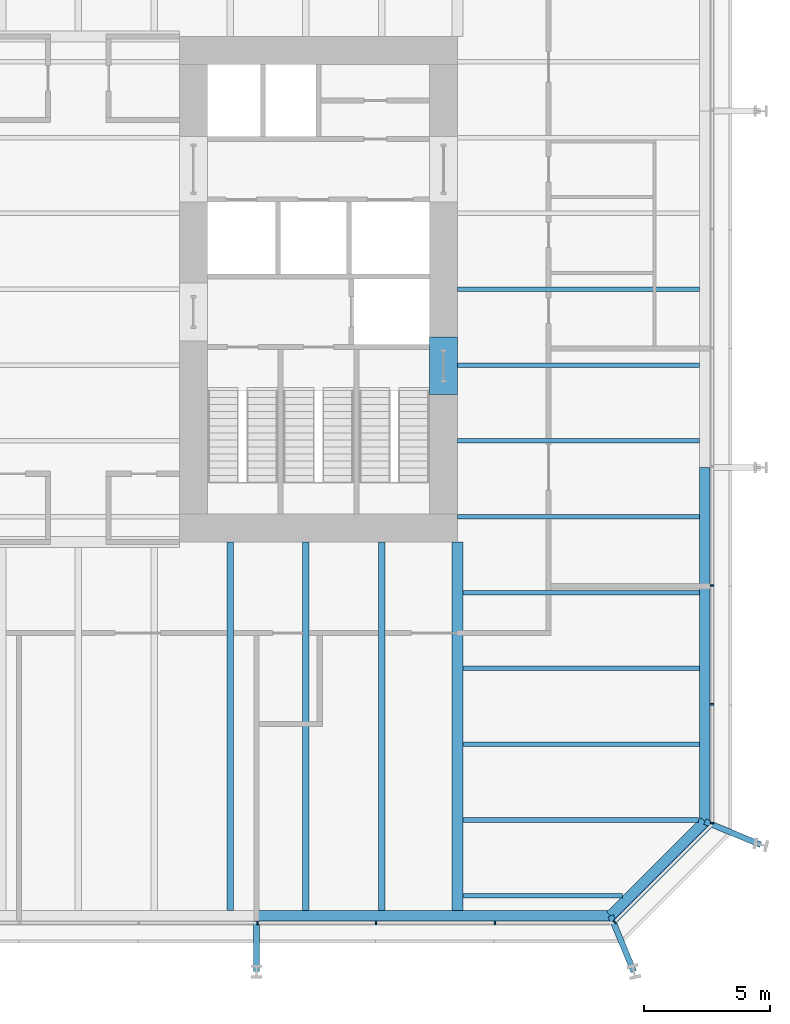
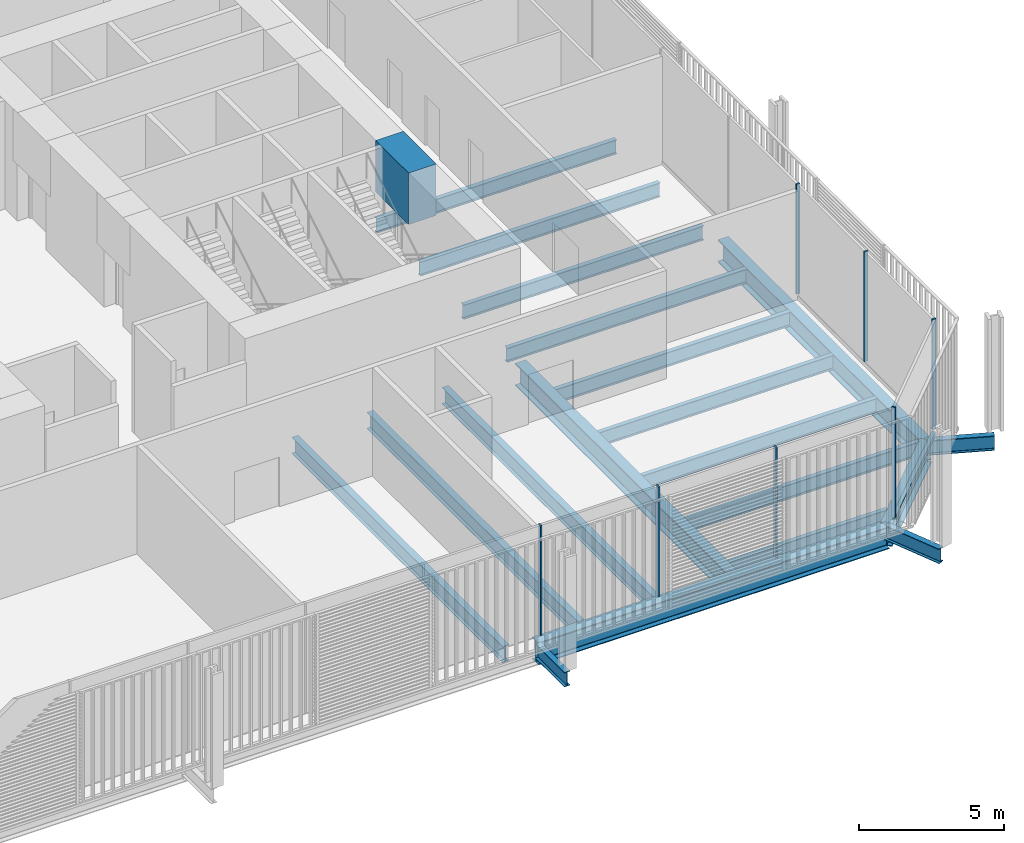
# One storey, part 8 of 22: 20 beams, 8 members, 3 elements without a shape of their own.
"""IFC4 building model written with IfcOpenShell, lengths in metres."""

from ifc_helpers import new_model, si_unit, direction, frame, origin, origin_2d, place, context, subcontext, project, spatial, rectangle, i_section, extrude, material, layer, layer_set, material_profile, profile_set, type_object, element, aggregate, save


model = new_model("IFC4")

# Units and contexts
model_context = context("Model", 3, precision=1e-05, world=origin(), true_north=direction((0.0, 1.0)))
body_context = subcontext(model_context, "Body", "Model", "MODEL_VIEW")
ifc_project = project(units=[si_unit("LENGTHUNIT", "METRE"), si_unit("AREAUNIT", "SQUARE_METRE"), si_unit("VOLUMEUNIT", "CUBIC_METRE"), si_unit("PLANEANGLEUNIT", "RADIAN"), si_unit("MASSUNIT", "GRAM", prefix="KILO")], contexts=[model_context])

# Site, building, storey
site_placement = place(None, origin())
site = spatial("IfcSite", under=ifc_project, at=site_placement, CompositionType="ELEMENT")
building_placement = place(site_placement, origin())
building = spatial("IfcBuilding", under=site, at=building_placement, Name="Millrace Tower", CompositionType="ELEMENT")
storey_placement = place(building_placement, frame((0.0, 0.0, 40.10009765625)))
storey = spatial("IfcBuildingStorey", under=building, at=storey_placement, Name="L09", CompositionType="ELEMENT", Elevation=40.10009765625)

# Curtain wall, members
ifc_material_1 = material(Name="Aluminium and glass", Category="aluminium")
ifc_layer = layer(ifc_material_1, 0.14990234375)
ifc_layer_set = layer_set([ifc_layer], Name="Aluminium and glass")
curtain_wall_type = type_object("IfcCurtainWallType", Name="CW-2 data hall insulated curtain wall", PredefinedType="NOTDEFINED", material=ifc_layer_set)
placement = place(storey_placement, origin())
curtain_wall_1 = element("IfcCurtainWall", 1, at=placement, inside=storey, type_object=curtain_wall_type, Name="Curtain wall A-F02 L09", PredefinedType="NOTDEFINED")
ifc_material_2 = material(Name="Aluminium", Category="aluminium")
ifc_material_profile_1 = material_profile(ifc_material_2, rectangle(XDim=0.06494140625, YDim=0.14990234375, at=origin_2d()))
ifc_profile_set_1 = profile_set([ifc_material_profile_1], Name="Aluminium")
member_type_1 = type_object("IfcMemberType", Name="CW-2 data hall insulated curtain wall mullion", PredefinedType="MULLION", material=ifc_profile_set_1)
member_1_placement = place(storey_placement, frame((7.08251953125, -25.074951171875, 0.159912109375), z_axis=(0.0, 0.0, 1.0), x_axis=(1.0, 0.0, 0.0)))
member_1 = element("IfcMember", 2, at=member_1_placement, type_object=member_type_1, Name="CW2 mullion A-F02.7", PredefinedType="MULLION", context=body_context, shape_type="SweptSolid", body=[
    extrude(rectangle(XDim=0.06494140625, YDim=0.14990234375, at=origin_2d()), origin(), (0.0, 0.0, 1.0), 4.639892578125),
])
member_2_placement = place(storey_placement, frame((11.782470703125, -25.074951171875, 0.159912109375), z_axis=(0.0, 0.0, 1.0), x_axis=(1.0, 0.0, 0.0)))
member_2 = element("IfcMember", 3, at=member_2_placement, type_object=member_type_1, Name="CW2 mullion A-F02.8", PredefinedType="MULLION", context=body_context, shape_type="SweptSolid", body=[
    extrude(rectangle(XDim=0.06494140625, YDim=0.14990234375, at=origin_2d()), origin(), (0.0, 0.0, 1.0), 4.639892578125),
])
member_3_placement = place(storey_placement, frame((16.482421875, -25.074951171875, 0.159912109375), z_axis=(0.0, 0.0, 1.0), x_axis=(1.0, 0.0, 0.0)))
member_3 = element("IfcMember", 4, at=member_3_placement, type_object=member_type_1, Name="CW2 mullion A-F02.9", PredefinedType="MULLION", context=body_context, shape_type="SweptSolid", body=[
    extrude(rectangle(XDim=0.06494140625, YDim=0.14990234375, at=origin_2d()), origin(), (0.0, 0.0, 1.0), 4.639892578125),
])
aggregate(curtain_wall_1, [member_1, member_2, member_3])

# Curtain wall, member
curtain_wall_2 = element("IfcCurtainWall", 5, at=placement, inside=storey, type_object=curtain_wall_type, Name="Curtain wall A-F03 L09", PredefinedType="NOTDEFINED")
member_4_placement = place(storey_placement, frame((21.22607421875, -25.030029296875, 0.159912109375), z_axis=(0.0, 0.0, 1.0), x_axis=(0.707106781187, 0.707106781187, 0.0)))
member_4 = element("IfcMember", 6, at=member_4_placement, type_object=member_type_1, Name="CW2 mullion A-F03.1", PredefinedType="MULLION", context=body_context, shape_type="SweptSolid", body=[
    extrude(rectangle(XDim=0.06494140625, YDim=0.14990234375, at=origin_2d()), origin(), (0.0, 0.0, 1.0), 4.639892578125),
])

# Curtain wall, members
curtain_wall_3 = element("IfcCurtainWall", 7, at=placement, inside=storey, type_object=curtain_wall_type, Name="Curtain wall A-F04 L09", PredefinedType="NOTDEFINED")
member_5_placement = place(storey_placement, frame((25.074951171875, -21.117431640625, 0.159912109375), z_axis=(0.0, 0.0, 1.0), x_axis=(0.0, 1.0, 0.0)))
member_5 = element("IfcMember", 8, at=member_5_placement, type_object=member_type_1, Name="CW2 mullion A-F04.1", PredefinedType="MULLION", context=body_context, shape_type="SweptSolid", body=[
    extrude(rectangle(XDim=0.06494140625, YDim=0.14990234375, at=origin_2d()), origin(), (0.0, 0.0, 1.0), 4.639892578125),
])
member_6_placement = place(storey_placement, frame((25.074951171875, -16.41748046875, 0.159912109375), z_axis=(0.0, 0.0, 1.0), x_axis=(0.0, 1.0, 0.0)))
member_6 = element("IfcMember", 9, at=member_6_placement, type_object=member_type_1, Name="CW2 mullion A-F04.2", PredefinedType="MULLION", context=body_context, shape_type="SweptSolid", body=[
    extrude(rectangle(XDim=0.06494140625, YDim=0.14990234375, at=origin_2d()), origin(), (0.0, 0.0, 1.0), 4.639892578125),
])
member_7_placement = place(storey_placement, frame((25.074951171875, -11.717529296875, 0.159912109375), z_axis=(0.0, 0.0, 1.0), x_axis=(0.0, 1.0, 0.0)))
member_7 = element("IfcMember", 10, at=member_7_placement, type_object=member_type_1, Name="CW2 mullion A-F04.3", PredefinedType="MULLION", context=body_context, shape_type="SweptSolid", body=[
    extrude(rectangle(XDim=0.06494140625, YDim=0.14990234375, at=origin_2d()), origin(), (0.0, 0.0, 1.0), 4.639892578125),
])
aggregate(curtain_wall_3, [member_5, member_6, member_7])

# Member
ifc_material_3 = material(Name="Aluminium", Category="aluminium")
ifc_material_profile_2 = material_profile(ifc_material_3, rectangle(XDim=0.14990234375, YDim=0.159912109375, at=origin_2d()))
ifc_profile_set_2 = profile_set([ifc_material_profile_2], Name="Aluminium")
member_type_2 = type_object("IfcMemberType", Name="CW-2 data hall insulated curtain wall transom", PredefinedType="USERDEFINED", material=ifc_profile_set_2)
member_8_placement = place(storey_placement, frame((21.273681640625, -24.982421875, 0.079833984375), z_axis=(0.707106781187, 0.707106781187, 0.0), x_axis=(-0.707106781187, 0.707106781187, 0.0)))
member_8 = element("IfcMember", 11, at=member_8_placement, type_object=member_type_2, Name="CW2 transom A-F03.1", ObjectType="TRANSOM", PredefinedType="USERDEFINED", context=body_context, shape_type="SweptSolid", body=[
    extrude(rectangle(XDim=0.14990234375, YDim=0.159912109375, at=origin_2d()), origin(), (0.0, 0.0, 1.0), 5.244873046875),
])

aggregate(curtain_wall_2, [member_4, member_8])

# Beams
ifc_material_4 = material(Name="Concrete C80", Category="concrete")
ifc_material_profile_3 = material_profile(ifc_material_4, rectangle(XDim=1.10009765625, YDim=2.175048828125, at=origin_2d()))
ifc_profile_set_3 = profile_set([ifc_material_profile_3], Name="Concrete C80")
beam_type_1 = type_object("IfcBeamType", Name="Coupling beam 1100 x 2175 Concrete C80, 1300 opening", PredefinedType="BEAM", material=ifc_profile_set_3)
beam_1_placement = place(storey_placement, frame((14.449951171875, -1.88818359375, 3.4873046875), z_axis=(0.0, -1.0, 0.0), x_axis=(1.0, 0.0, 0.0)))
element("IfcBeam", 12, at=beam_1_placement, inside=storey, type_object=beam_type_1, Name="Coupling beam E L09", PredefinedType="BEAM", context=body_context, shape_type="SweptSolid", body=[
    extrude(rectangle(XDim=1.10009765625, YDim=2.175048828125, at=origin_2d()), origin(), (0.0, 0.0, 1.0), 2.28369140625),
])
ifc_material_5 = material(Name="Steel ASTM A992 Grade 50", Category="steel")
ifc_material_profile_4 = material_profile(ifc_material_5, i_section(OverallWidth=0.177978515625, OverallDepth=0.599365234375, WebThickness=0.010009765625, FlangeThickness=0.012939453125, FilletRadius=0.012939453125, at=origin_2d()))
ifc_profile_set_4 = profile_set([ifc_material_profile_4], Name="Steel ASTM A992 Grade 50")
beam_type_2 = type_object("IfcBeamType", Name="Floor beam W24x55", PredefinedType="JOIST", material=ifc_profile_set_4)
beam_2_placement = place(storey_placement, frame((15.212158203125, -24.0, -0.52490234375), z_axis=(1.0, 0.0, 0.0), x_axis=(0.0, 1.0, 0.0)))
element("IfcBeam", 13, at=beam_2_placement, inside=storey, type_object=beam_type_2, Name="BM-A-L09-S1-S002", PredefinedType="JOIST", context=body_context, shape_type="SweptSolid", body=[
    extrude(i_section(OverallWidth=0.177978515625, OverallDepth=0.599365234375, WebThickness=0.010009765625, FlangeThickness=0.012939453125, FilletRadius=0.012939453125, at=origin_2d()), origin(), (0.0, 0.0, 1.0), 6.317626953125),
])
ifc_material_6 = material(Name="Steel ASTM A992 Grade 50", Category="steel")
ifc_material_profile_5 = material_profile(ifc_material_6, i_section(OverallWidth=0.1787109375, OverallDepth=0.60205078125, WebThickness=0.010986328125, FlangeThickness=0.014892578125, FilletRadius=0.0126953125, at=origin_2d()))
ifc_profile_set_5 = profile_set([ifc_material_profile_5], Name="Steel ASTM A992 Grade 50")
beam_type_3 = type_object("IfcBeamType", Name="Floor beam W24x62", PredefinedType="JOIST", material=ifc_profile_set_5)
for number, where, z_axis, x_axis, name in (
    (14, (15.212158203125, -18.0, -0.526123046875), (1.0, 0.0, 0.0), (0.0, 1.0, 0.0), "BM-A-L09-S1-S006"),
    (15, (15.212158203125, -15.0, -0.526123046875), (1.0, 0.0, 0.0), (0.0, 1.0, 0.0), "BM-A-L09-S1-S008"),
    (16, (15.212158203125, -12.0, -0.526123046875), (1.0, 0.0, 0.0), (0.0, 1.0, 0.0), "BM-A-L09-S1-S010"),
):
    element("IfcBeam", number, at=place(storey_placement, frame(where, z_axis=z_axis, x_axis=x_axis)), inside=storey, type_object=beam_type_3, Name=name, PredefinedType="JOIST", context=body_context, shape_type="SweptSolid", body=[
        extrude(i_section(OverallWidth=0.1787109375, OverallDepth=0.60205078125, WebThickness=0.010986328125, FlangeThickness=0.014892578125, FilletRadius=0.0126953125, at=origin_2d()), origin(), (0.0, 0.0, 1.0), 9.3662109375),
    ])
for number, where, z_axis, x_axis, name in (
    (17, (15.0, -9.0, -0.526123046875), (1.0, 0.0, 0.0), (0.0, 1.0, 0.0), "BM-A-L09-S1-S013"),
    (18, (15.0, -6.0, -0.526123046875), (1.0, 0.0, 0.0), (0.0, 1.0, 0.0), "BM-A-L09-S1-S016"),
    (19, (15.0, -3.0, -0.526123046875), (1.0, 0.0, 0.0), (0.0, 1.0, 0.0), "BM-A-L09-S1-S019"),
    (20, (15.0, 0.0, -0.526123046875), (1.0, 0.0, 0.0), (0.0, 1.0, 0.0), "BM-A-L09-S1-S022"),
):
    element("IfcBeam", number, at=place(storey_placement, frame(where, z_axis=z_axis, x_axis=x_axis)), inside=storey, type_object=beam_type_3, Name=name, PredefinedType="JOIST", context=body_context, shape_type="SweptSolid", body=[
        extrude(i_section(OverallWidth=0.1787109375, OverallDepth=0.60205078125, WebThickness=0.010986328125, FlangeThickness=0.014892578125, FilletRadius=0.0126953125, at=origin_2d()), origin(), (0.0, 0.0, 1.0), 9.578369140625),
    ])
beam_3_placement = place(storey_placement, frame((15.212158203125, -21.0, -0.526123046875), z_axis=(1.0, 0.0, 0.0), x_axis=(0.0, 1.0, 0.0)))
element("IfcBeam", 21, at=beam_3_placement, inside=storey, type_object=beam_type_3, Name="BM-A-L09-S1-S004", PredefinedType="JOIST", context=body_context, shape_type="SweptSolid", body=[
    extrude(i_section(OverallWidth=0.1787109375, OverallDepth=0.60205078125, WebThickness=0.010986328125, FlangeThickness=0.014892578125, FilletRadius=0.0126953125, at=origin_2d()), origin(), (0.0, 0.0, 1.0), 9.317626953125),
])
ifc_material_7 = material(Name="Steel ASTM A992 Grade 50", Category="steel")
ifc_material_profile_6 = material_profile(ifc_material_7, i_section(OverallWidth=0.256591796875, OverallDepth=0.693359375, WebThickness=0.014404296875, FlangeThickness=0.023681640625, FilletRadius=0.01513671875, at=origin_2d()))
ifc_profile_set_6 = profile_set([ifc_material_profile_6], Name="Steel ASTM A992 Grade 50")
beam_type_4 = type_object("IfcBeamType", Name="Floor beam W27x114", PredefinedType="JOIST", material=ifc_profile_set_6)
for number, where, z_axis, x_axis, name in (
    (22, (6.0, -24.578369140625, -0.57177734375), (0.0, 1.0, 0.0), (-1.0, 0.0, 0.0), "BM-A-L09-S1-S055"),
    (23, (9.0, -24.578369140625, -0.57177734375), (0.0, 1.0, 0.0), (-1.0, 0.0, 0.0), "BM-A-L09-S1-S057"),
    (24, (12.0, -24.578369140625, -0.57177734375), (0.0, 1.0, 0.0), (-1.0, 0.0, 0.0), "BM-A-L09-S1-S059"),
):
    element("IfcBeam", number, at=place(storey_placement, frame(where, z_axis=z_axis, x_axis=x_axis)), inside=storey, type_object=beam_type_4, Name=name, PredefinedType="JOIST", context=body_context, shape_type="SweptSolid", body=[
        extrude(i_section(OverallWidth=0.256591796875, OverallDepth=0.693359375, WebThickness=0.014404296875, FlangeThickness=0.023681640625, FilletRadius=0.01513671875, at=origin_2d()), origin(), (0.0, 0.0, 1.0), 14.578369140625),
    ])
ifc_material_8 = material(Name="Steel ASTM A992 Grade 50", Category="steel")
ifc_material_profile_7 = material_profile(ifc_material_8, i_section(OverallWidth=0.424072265625, OverallDepth=0.947509765625, WebThickness=0.02392578125, FlangeThickness=0.042724609375, FilletRadius=0.024169921875, at=origin_2d()))
ifc_profile_set_7 = profile_set([ifc_material_profile_7], Name="Steel ASTM A992 Grade 50")
beam_type_5 = type_object("IfcBeamType", Name="Girder medium span W36x302", PredefinedType="BEAM", material=ifc_profile_set_7)
beam_4_placement = place(storey_placement, frame((15.0, -24.578369140625, -0.69873046875), z_axis=(0.0, 1.0, 0.0), x_axis=(-1.0, 0.0, 0.0)))
element("IfcBeam", 25, at=beam_4_placement, inside=storey, type_object=beam_type_5, Name="BM-A-L09-S1-G063", PredefinedType="BEAM", context=body_context, shape_type="SweptSolid", body=[
    extrude(i_section(OverallWidth=0.424072265625, OverallDepth=0.947509765625, WebThickness=0.02392578125, FlangeThickness=0.042724609375, FilletRadius=0.024169921875, at=origin_2d()), origin(), (0.0, 0.0, 1.0), 14.578369140625),
])
ifc_material_9 = material(Name="Steel ASTM A992 Grade 50", Category="steel")
ifc_material_profile_8 = material_profile(ifc_material_9, i_section(OverallWidth=0.23046875, OverallDepth=0.6171875, WebThickness=0.01318359375, FlangeThickness=0.022216796875, FilletRadius=0.012939453125, at=origin_2d()))
ifc_profile_set_8 = profile_set([ifc_material_profile_8], Name="Steel ASTM A992 Grade 50")
beam_type_6 = type_object("IfcBeamType", Name="Link beam W24x94", PredefinedType="BEAM", material=ifc_profile_set_8)
for number, where, z_axis, x_axis, name in (
    (26, (24.7890625, -21.062744140625, -0.53369140625), (0.923883789366, -0.382673155247, 0.0), (0.382673155247, 0.923883789366, 0.0), "LNK-A-L09-S1-12"),
    (27, (21.062744140625, -24.7890625, -0.53369140625), (0.382673155247, -0.923883789366, 0.0), (0.923883789366, 0.382673155247, 0.0), "LNK-A-L09-S1-13"),
):
    element("IfcBeam", number, at=place(storey_placement, frame(where, z_axis=z_axis, x_axis=x_axis)), inside=storey, type_object=beam_type_6, Name=name, PredefinedType="BEAM", context=body_context, shape_type="SweptSolid", body=[
        extrude(i_section(OverallWidth=0.23046875, OverallDepth=0.6171875, WebThickness=0.01318359375, FlangeThickness=0.022216796875, FilletRadius=0.012939453125, at=origin_2d()), origin(), (0.0, 0.0, 1.0), 2.39306640625),
    ])
beam_5_placement = place(storey_placement, frame((7.050048828125, -25.0, -0.53369140625), z_axis=(0.0, -1.0, 0.0), x_axis=(1.0, 0.0, 0.0)))
element("IfcBeam", 28, at=beam_5_placement, inside=storey, type_object=beam_type_6, Name="LNK-A-L09-S1-14", PredefinedType="BEAM", context=body_context, shape_type="SweptSolid", body=[
    extrude(i_section(OverallWidth=0.23046875, OverallDepth=0.6171875, WebThickness=0.01318359375, FlangeThickness=0.022216796875, FilletRadius=0.012939453125, at=origin_2d()), origin(), (0.0, 0.0, 1.0), 2.0),
])
ifc_material_10 = material(Name="Steel ASTM A992 Grade 50", Category="steel")
ifc_material_profile_9 = material_profile(ifc_material_10, i_section(OverallWidth=0.421630859375, OverallDepth=0.937255859375, WebThickness=0.021240234375, FlangeThickness=0.03662109375, FilletRadius=0.024169921875, at=origin_2d()))
ifc_profile_set_9 = profile_set([ifc_material_profile_9], Name="Steel ASTM A992 Grade 50")
beam_type_7 = type_object("IfcBeamType", Name="Ring beam medium span W36x262", PredefinedType="SPANDREL", material=ifc_profile_set_9)
for number, where, z_axis, x_axis, name in (
    (29, (24.7890625, -7.050048828125, -0.69384765625), (0.0, -1.0, 0.0), (1.0, 0.0, 0.0), "RNG-A-L09-S1-11"),
    (30, (21.062744140625, -24.7890625, -0.69384765625), (-1.0, 0.0, 0.0), (0.0, -1.0, 0.0), "RNG-A-L09-S1-13"),
):
    element("IfcBeam", number, at=place(storey_placement, frame(where, z_axis=z_axis, x_axis=x_axis)), inside=storey, type_object=beam_type_7, Name=name, PredefinedType="SPANDREL", context=body_context, shape_type="SweptSolid", body=[
        extrude(i_section(OverallWidth=0.421630859375, OverallDepth=0.937255859375, WebThickness=0.021240234375, FlangeThickness=0.03662109375, FilletRadius=0.024169921875, at=origin_2d()), origin(), (0.0, 0.0, 1.0), 14.0126953125),
    ])
ifc_material_11 = material(Name="Steel ASTM A992 Grade 50", Category="steel")
ifc_material_profile_10 = material_profile(ifc_material_11, i_section(OverallWidth=0.421630859375, OverallDepth=0.937255859375, WebThickness=0.021240234375, FlangeThickness=0.03662109375, FilletRadius=0.024169921875, at=origin_2d()))
ifc_profile_set_10 = profile_set([ifc_material_profile_10], Name="Steel ASTM A992 Grade 50")
beam_type_8 = type_object("IfcBeamType", Name="Ring beam short span W36x262", PredefinedType="SPANDREL", material=ifc_profile_set_10)
beam_6_placement = place(storey_placement, frame((24.7890625, -21.062744140625, -0.69384765625), z_axis=(-0.707106781187, -0.707106781187, 0.0), x_axis=(0.707106781187, -0.707106781187, 0.0)))
element("IfcBeam", 31, at=beam_6_placement, inside=storey, type_object=beam_type_8, Name="RNG-A-L09-S1-12", PredefinedType="SPANDREL", context=body_context, shape_type="SweptSolid", body=[
    extrude(i_section(OverallWidth=0.421630859375, OverallDepth=0.937255859375, WebThickness=0.021240234375, FlangeThickness=0.03662109375, FilletRadius=0.024169921875, at=origin_2d()), origin(), (0.0, 0.0, 1.0), 5.269775390625),
])

save(model, "model.ifc")
